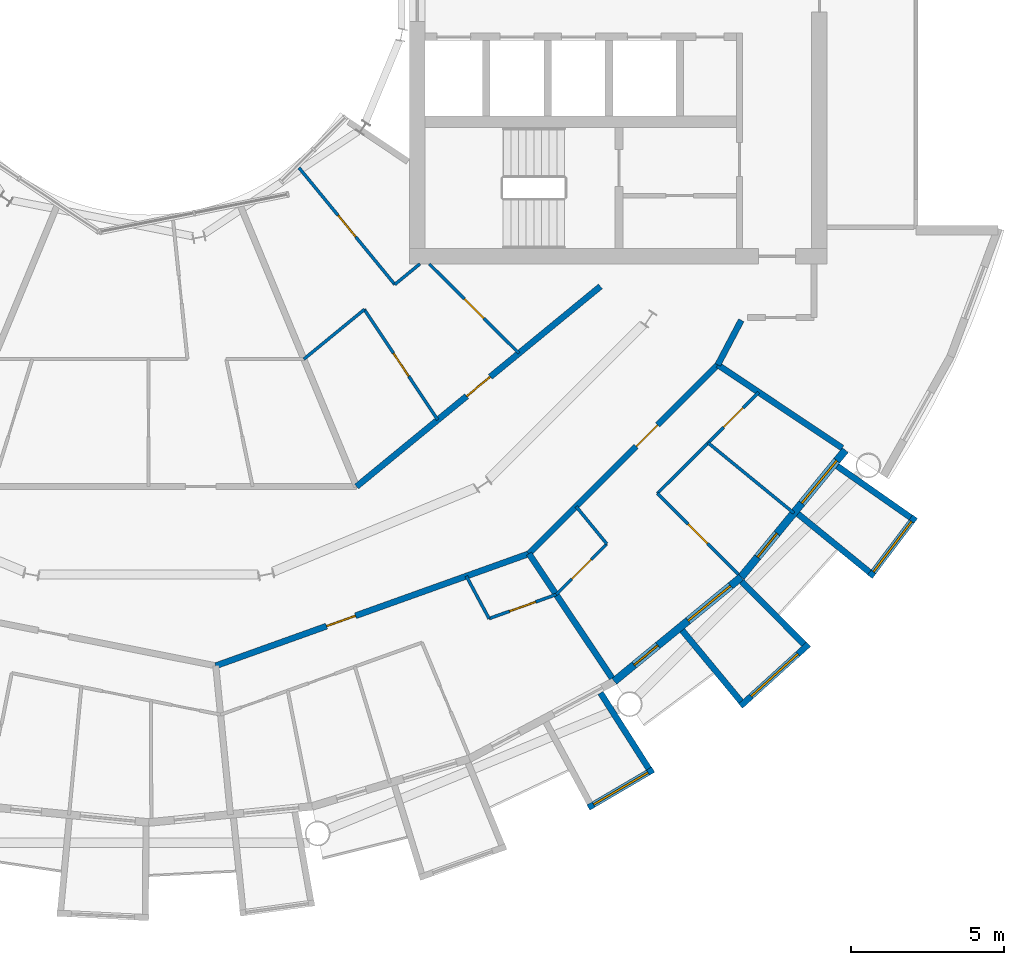
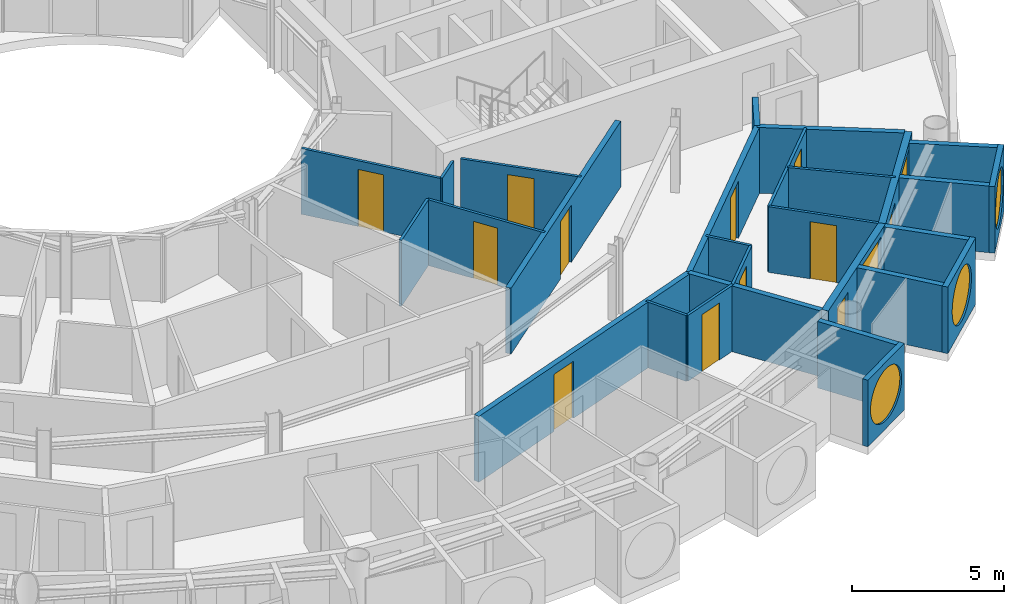
# One storey, part 17 of 26: 28 walls, 12 doors, 5 windows, 17 openings.
"""IFC4 building model written with IfcOpenShell, lengths in metres."""

from ifc_helpers import new_model, si_unit, direction, frame, frame_2d, origin, place, context, subcontext, project, spatial, rectangle, circle, extrude, material, layer, layer_set, type_object, element, fill, save


model = new_model("IFC4")

# Units and contexts
model_context = context("Model", 3, precision=1e-05, world=origin(), true_north=direction((0.0, 1.0)))
body_context = subcontext(model_context, "Body", "Model", "MODEL_VIEW")
ifc_project = project(units=[si_unit("LENGTHUNIT", "METRE"), si_unit("AREAUNIT", "SQUARE_METRE"), si_unit("VOLUMEUNIT", "CUBIC_METRE"), si_unit("PLANEANGLEUNIT", "RADIAN"), si_unit("MASSUNIT", "GRAM", prefix="KILO")], contexts=[model_context])

# Site, building, storey
site_placement = place(None, origin())
site = spatial("IfcSite", under=ifc_project, at=site_placement, CompositionType="ELEMENT")
building_placement = place(site_placement, origin())
building = spatial("IfcBuilding", under=site, at=building_placement, Name="Maasbend Ring Residences", CompositionType="ELEMENT")
storey_placement = place(building_placement, frame((0.0, 0.0, 176.85009765625)))
storey = spatial("IfcBuildingStorey", under=building, at=storey_placement, Name="L51", CompositionType="ELEMENT", Elevation=176.85009765625)

# Wall
ifc_material_1 = material(Name="Concrete C30/37", Category="concrete")
ifc_layer_1 = layer(ifc_material_1, 0.199951171875)
ifc_layer_set_1 = layer_set([ifc_layer_1], Name="Concrete C30/37")
wall_type_1 = type_object("IfcWallType", Name="CORRIDOR WALL 200 CONCRETE", PredefinedType="PARTITIONING", material=ifc_layer_set_1)
wall_1_placement = place(storey_placement, frame((18.5419921875, -12.388916015625, 0.0), z_axis=(0.0, 0.0, 1.0), x_axis=(0.465605550524, 0.884992356646, 0.0)))
element("IfcWall", 1, at=wall_1_placement, inside=storey, type_object=wall_type_1, Name="U-L51-w010", PredefinedType="PARTITIONING", context=body_context, shape_type="SweptSolid", body=[
    extrude(rectangle(XDim=1.642822265625, YDim=0.199951171875, at=frame_2d((0.8212890625, 0.0))), origin(), (0.0, 0.0, 1.0), 2.64990234375),
])

# Wall, opening, door
wall_2_placement = place(storey_placement, frame((12.388916015625, -18.5419921875, 0.0), z_axis=(0.0, 0.0, 1.0), x_axis=(0.707106781187, 0.707106781187, 0.0)))
wall_2 = element("IfcWall", 2, at=wall_2_placement, inside=storey, type_object=wall_type_1, Name="U-L51-w011", PredefinedType="PARTITIONING", context=body_context, shape_type="SweptSolid", body=[
    extrude(rectangle(XDim=8.70166015625, YDim=0.199951171875, at=frame_2d((4.350830078125, 0.0))), origin(), (0.0, 0.0, 1.0), 2.64990234375),
])
opening_1_placement = place(wall_2_placement, frame((4.93798828125, 0.0, 0.0)))
opening_1 = element("IfcOpeningElement", 3, at=opening_1_placement, cuts=wall_2, Name="Opening D-5148", PredefinedType="OPENING", context=body_context, shape_type="SweptSolid", body=[
    extrude(rectangle(XDim=1.0, YDim=2.300048828125, at=frame_2d((0.5, 1.14990234375))), frame((0.0, 0.10986328125, 0.0), z_axis=(0.0, -1.0, 0.0), x_axis=(1.0, 0.0, 0.0)), (0.0, 0.0, 1.0), 0.219970703125),
])
ifc_material_2 = material(Name="Timber, fire-rated, painted", Category="wood")
door_type_1 = type_object("IfcDoorType", Name="FLAT ENTRANCE DOOR 1000 X 2300 FIRE-RATED", OperationType="NOTDEFINED", PredefinedType="DOOR", material=ifc_material_2)
door_1_placement = place(opening_1_placement, origin())
door_1 = element("IfcDoor", 4, at=door_1_placement, inside=storey, type_object=door_type_1, Name="D-5148", OperationType="SINGLE_SWING_RIGHT", OverallHeight=2.300048828125, OverallWidth=1.0, PredefinedType="DOOR", context=body_context, shape_type="SweptSolid", body=[
    extrude(rectangle(XDim=1.0, YDim=2.300048828125, at=frame_2d((0.5, 1.14990234375))), frame((0.0, 0.02490234375, 0.0), z_axis=(0.0, -1.0, 0.0), x_axis=(1.0, 0.0, 0.0)), (0.0, 0.0, 1.0), 0.050048828125),
])
fill(opening_1, door_1)

wall_3_placement = place(storey_placement, frame((2.18603515625, -22.193115234375, 0.0), z_axis=(0.0, 0.0, 1.0), x_axis=(0.941530192736, 0.336928621769, 0.0)))
wall_3 = element("IfcWall", 5, at=wall_3_placement, inside=storey, type_object=wall_type_1, Name="U-L51-w015", PredefinedType="PARTITIONING", context=body_context, shape_type="SweptSolid", body=[
    extrude(rectangle(XDim=10.83642578125, YDim=0.199951171875, at=frame_2d((5.418212890625, 0.0))), origin(), (0.0, 0.0, 1.0), 2.64990234375),
])
opening_2_placement = place(wall_3_placement, frame((3.8349609375, 0.0, 0.0)))
opening_2 = element("IfcOpeningElement", 6, at=opening_2_placement, cuts=wall_3, Name="Opening D-5143", PredefinedType="OPENING", context=body_context, shape_type="SweptSolid", body=[
    extrude(rectangle(XDim=1.0, YDim=2.300048828125, at=frame_2d((0.5, 1.14990234375))), frame((0.0, 0.10986328125, 0.0), z_axis=(0.0, -1.0, 0.0), x_axis=(1.0, 0.0, 0.0)), (0.0, 0.0, 1.0), 0.219970703125),
])
door_2_placement = place(opening_2_placement, origin())
door_2 = element("IfcDoor", 7, at=door_2_placement, inside=storey, type_object=door_type_1, Name="D-5143", OperationType="SINGLE_SWING_LEFT", OverallHeight=2.300048828125, OverallWidth=1.0, PredefinedType="DOOR", context=body_context, shape_type="SweptSolid", body=[
    extrude(rectangle(XDim=1.0, YDim=2.300048828125, at=frame_2d((0.5, 1.14990234375))), frame((0.0, 0.02490234375, 0.0), z_axis=(0.0, -1.0, 0.0), x_axis=(1.0, 0.0, 0.0)), (0.0, 0.0, 1.0), 0.050048828125),
])
fill(opening_2, door_2)

wall_4_placement = place(storey_placement, frame((6.77294921875, -16.35302734375, 0.0), z_axis=(0.0, 0.0, 1.0), x_axis=(0.773034536097, 0.634363938131, 0.0)))
wall_4 = element("IfcWall", 8, at=wall_4_placement, inside=storey, type_object=wall_type_1, Name="U-L51-w018", PredefinedType="PARTITIONING", context=body_context, shape_type="SweptSolid", body=[
    extrude(rectangle(XDim=10.276611328125, YDim=0.199951171875, at=frame_2d((5.13818359375, 0.0))), origin(), (0.0, 0.0, 1.0), 2.64990234375),
])
opening_3_placement = place(wall_4_placement, frame((4.637939453125, 0.0, 0.0)))
opening_3 = element("IfcOpeningElement", 9, at=opening_3_placement, cuts=wall_4, Name="Opening D-5161", PredefinedType="OPENING", context=body_context, shape_type="SweptSolid", body=[
    extrude(rectangle(XDim=1.0, YDim=2.300048828125, at=frame_2d((0.5, 1.14990234375))), frame((0.0, 0.10986328125, 0.0), z_axis=(0.0, -1.0, 0.0), x_axis=(1.0, 0.0, 0.0)), (0.0, 0.0, 1.0), 0.219970703125),
])
door_3_placement = place(opening_3_placement, origin())
door_3 = element("IfcDoor", 10, at=door_3_placement, inside=storey, type_object=door_type_1, Name="D-5161", OperationType="SINGLE_SWING_RIGHT", OverallHeight=2.300048828125, OverallWidth=1.0, PredefinedType="DOOR", context=body_context, shape_type="SweptSolid", body=[
    extrude(rectangle(XDim=1.0, YDim=2.300048828125, at=frame_2d((0.5, 1.14990234375))), frame((0.0, 0.02490234375, 0.0), z_axis=(0.0, -1.0, 0.0), x_axis=(1.0, 0.0, 0.0)), (0.0, 0.0, 1.0), 0.050048828125),
])
fill(opening_3, door_3)

# Wall, opening, window
ifc_material_3 = material(Name="Pale anodised aluminium panel", Category="aluminium")
ifc_layer_2 = layer(ifc_material_3, 0.199951171875)
ifc_layer_set_2 = layer_set([ifc_layer_2], Name="EW-BOX")
wall_type_2 = type_object("IfcWallType", Name="EW-BOX", PredefinedType="SOLIDWALL", material=ifc_layer_set_2)
wall_5_placement = place(storey_placement, frame((14.326904296875, -26.81201171875, -0.030029296875), z_axis=(0.0, 0.0, 1.0), x_axis=(0.862403467503, 0.506221551535, 0.0)))
wall_5 = element("IfcWall", 11, at=wall_5_placement, inside=storey, type_object=wall_type_2, Name="Box front S16", PredefinedType="SOLIDWALL", context=body_context, shape_type="SweptSolid", body=[
    extrude(rectangle(XDim=2.445556640625, YDim=0.199951171875, at=frame_2d((1.22265625, 0.0))), origin(), (0.0, 0.0, 1.0), 2.679931640625),
])
opening_4_placement = place(wall_5_placement, frame((0.182861328125, 0.0, 0.330078125)))
opening_4 = element("IfcOpeningElement", 12, at=opening_4_placement, cuts=wall_5, Name="Opening W-RD", PredefinedType="OPENING", context=body_context, shape_type="SweptSolid", body=[
    extrude(circle(Radius=1.0400390625, at=frame_2d((1.0400390625, 1.0400390625))), frame((0.0, 0.10986328125, 0.0), z_axis=(0.0, -1.0, 0.0), x_axis=(1.0, 0.0, 0.0)), (0.0, 0.0, 1.0), 0.219970703125),
])
ifc_material_4 = material(Name="Aluminium and clear glass", Category="aluminium")
window_type_1 = type_object("IfcWindowType", Name="W-RD", PartitioningType="SINGLE_PANEL", PredefinedType="WINDOW", material=ifc_material_4)
window_1_placement = place(opening_4_placement, origin())
window_1 = element("IfcWindow", 13, at=window_1_placement, inside=storey, type_object=window_type_1, Name="Round window S16", OverallHeight=2.080078125, OverallWidth=2.080078125, PartitioningType="SINGLE_PANEL", PredefinedType="WINDOW", context=body_context, shape_type="SweptSolid", body=[
    extrude(circle(Radius=1.0400390625, at=frame_2d((1.0400390625, 1.0400390625))), frame((0.0, 0.030029296875, 0.0), z_axis=(0.0, -1.0, 0.0), x_axis=(1.0, 0.0, 0.0)), (0.0, 0.0, 1.0), 0.06005859375),
])
fill(opening_4, window_1)

# Wall
wall_6_placement = place(storey_placement, frame((14.721923828125, -23.0791015625, -0.030029296875), z_axis=(0.0, 0.0, 1.0), x_axis=(0.537572179146, -0.843217737129, 0.0)))
element("IfcWall", 14, at=wall_6_placement, inside=storey, type_object=wall_type_2, Name="Box side wall S16 right", PredefinedType="SOLIDWALL", context=body_context, shape_type="SweptSolid", body=[
    extrude(rectangle(XDim=2.92431640625, YDim=0.199951171875, at=frame_2d((1.462158203125, 0.0))), origin(), (0.0, 0.0, 1.0), 2.679931640625),
])

# Wall, opening, window
wall_7_placement = place(storey_placement, frame((19.281982421875, -23.5029296875, -0.030029296875), z_axis=(0.0, 0.0, 1.0), x_axis=(0.740998365753, 0.671506829416, 0.0)))
wall_7 = element("IfcWall", 15, at=wall_7_placement, inside=storey, type_object=wall_type_2, Name="Box front S18", PredefinedType="SOLIDWALL", context=body_context, shape_type="SweptSolid", body=[
    extrude(rectangle(XDim=2.9931640625, YDim=0.199951171875, at=frame_2d((1.49658203125, 0.0))), origin(), (0.0, 0.0, 1.0), 2.679931640625),
])
opening_5_placement = place(wall_7_placement, frame((0.45654296875, 0.0, 0.330078125)))
opening_5 = element("IfcOpeningElement", 16, at=opening_5_placement, cuts=wall_7, Name="Opening W-RD", PredefinedType="OPENING", context=body_context, shape_type="SweptSolid", body=[
    extrude(circle(Radius=1.0400390625, at=frame_2d((1.0400390625, 1.0400390625))), frame((0.0, 0.10986328125, 0.0), z_axis=(0.0, -1.0, 0.0), x_axis=(1.0, 0.0, 0.0)), (0.0, 0.0, 1.0), 0.219970703125),
])
window_2_placement = place(opening_5_placement, origin())
window_2 = element("IfcWindow", 17, at=window_2_placement, inside=storey, type_object=window_type_1, Name="Round window S18", OverallHeight=2.080078125, OverallWidth=2.080078125, PartitioningType="SINGLE_PANEL", PredefinedType="WINDOW", context=body_context, shape_type="SweptSolid", body=[
    extrude(circle(Radius=1.0400390625, at=frame_2d((1.0400390625, 1.0400390625))), frame((0.0, 0.030029296875, 0.0), z_axis=(0.0, -1.0, 0.0), x_axis=(1.0, 0.0, 0.0)), (0.0, 0.0, 1.0), 0.06005859375),
])
fill(opening_5, window_2)

# Walls
wall_8_placement = place(storey_placement, frame((17.384033203125, -21.041015625, -0.030029296875), z_axis=(0.0, 0.0, 1.0), x_axis=(0.63709551667, -0.770784861449, 0.0)))
element("IfcWall", 18, at=wall_8_placement, inside=storey, type_object=wall_type_2, Name="Box side wall S18 left", PredefinedType="SOLIDWALL", context=body_context, shape_type="SweptSolid", body=[
    extrude(rectangle(XDim=3.005859375, YDim=0.199951171875, at=frame_2d((1.5029296875, 0.0))), origin(), (0.0, 0.0, 1.0), 2.679931640625),
])
wall_9_placement = place(storey_placement, frame((19.322998046875, -19.449951171875, -0.030029296875), z_axis=(0.0, 0.0, 1.0), x_axis=(0.704476739375, -0.709727076896, 0.0)))
element("IfcWall", 19, at=wall_9_placement, inside=storey, type_object=wall_type_2, Name="Box side wall S18 right", PredefinedType="SOLIDWALL", context=body_context, shape_type="SweptSolid", body=[
    extrude(rectangle(XDim=2.883056640625, YDim=0.199951171875, at=frame_2d((1.44140625, 0.0))), origin(), (0.0, 0.0, 1.0), 2.679931640625),
])

# Wall, opening, window
wall_10_placement = place(storey_placement, frame((23.4970703125, -19.2890625, -0.030029296875), z_axis=(0.0, 0.0, 1.0), x_axis=(0.602806268067, 0.797887588059, 0.0)))
wall_10 = element("IfcWall", 20, at=wall_10_placement, inside=storey, type_object=wall_type_2, Name="Box front S20", PredefinedType="SOLIDWALL", context=body_context, shape_type="SweptSolid", body=[
    extrude(rectangle(XDim=2.446533203125, YDim=0.199951171875, at=frame_2d((1.22314453125, 0.0))), origin(), (0.0, 0.0, 1.0), 2.679931640625),
])
opening_6_placement = place(wall_10_placement, frame((0.182861328125, 0.0, 0.330078125)))
opening_6 = element("IfcOpeningElement", 21, at=opening_6_placement, cuts=wall_10, Name="Opening W-RD", PredefinedType="OPENING", context=body_context, shape_type="SweptSolid", body=[
    extrude(circle(Radius=1.0400390625, at=frame_2d((1.0400390625, 1.0400390625))), frame((0.0, 0.10986328125, 0.0), z_axis=(0.0, -1.0, 0.0), x_axis=(1.0, 0.0, 0.0)), (0.0, 0.0, 1.0), 0.219970703125),
])
window_3_placement = place(opening_6_placement, origin())
window_3 = element("IfcWindow", 22, at=window_3_placement, inside=storey, type_object=window_type_1, Name="Round window S20", OverallHeight=2.080078125, OverallWidth=2.080078125, PartitioningType="SINGLE_PANEL", PredefinedType="WINDOW", context=body_context, shape_type="SweptSolid", body=[
    extrude(circle(Radius=1.0400390625, at=frame_2d((1.0400390625, 1.0400390625))), frame((0.0, 0.030029296875, 0.0), z_axis=(0.0, -1.0, 0.0), x_axis=(1.0, 0.0, 0.0)), (0.0, 0.0, 1.0), 0.06005859375),
])
fill(opening_6, window_3)

# Walls
wall_11_placement = place(storey_placement, frame((21.155029296875, -17.24609375, -0.030029296875), z_axis=(0.0, 0.0, 1.0), x_axis=(0.775179004516, -0.631741648902, 0.0)))
element("IfcWall", 23, at=wall_11_placement, inside=storey, type_object=wall_type_2, Name="Box side wall S20 left", PredefinedType="SOLIDWALL", context=body_context, shape_type="SweptSolid", body=[
    extrude(rectangle(XDim=3.005859375, YDim=0.199951171875, at=frame_2d((1.5029296875, 0.0))), origin(), (0.0, 0.0, 1.0), 2.679931640625),
])
wall_12_placement = place(storey_placement, frame((22.43310546875, -15.68798828125, -0.030029296875), z_axis=(0.0, 0.0, 1.0), x_axis=(0.819373043115, -0.573260687834, 0.0)))
element("IfcWall", 24, at=wall_12_placement, inside=storey, type_object=wall_type_2, Name="Box side wall S20 right", PredefinedType="SOLIDWALL", context=body_context, shape_type="SweptSolid", body=[
    extrude(rectangle(XDim=2.92529296875, YDim=0.199951171875, at=frame_2d((1.462646484375, 0.0))), origin(), (0.0, 0.0, 1.0), 2.679931640625),
])

# Wall, openings, door, window
ifc_material_5 = material(Name="Aluminium clad insulated panel", Category="aluminium")
ifc_layer_3 = layer(ifc_material_5, 0.25)
ifc_layer_set_3 = layer_set([ifc_layer_3], Name="EW-GL")
wall_type_3 = type_object("IfcWallType", Name="EW-GL", PredefinedType="SOLIDWALL", material=ifc_layer_set_3)
wall_13_placement = place(storey_placement, frame((15.1669921875, -22.698974609375, 0.0), z_axis=(0.0, 0.0, 1.0), x_axis=(0.773019449054, 0.634382322723, 0.0)))
wall_13 = element("IfcWall", 25, at=wall_13_placement, inside=storey, type_object=wall_type_3, Name="External wall S09", PredefinedType="SOLIDWALL", context=body_context, shape_type="SweptSolid", body=[
    extrude(rectangle(XDim=5.351806640625, YDim=0.25, at=frame_2d((2.67578125, 0.0))), origin(), (0.0, 0.0, 1.0), 2.64990234375),
])
opening_7_placement = place(wall_13_placement, frame((0.841064453125, 0.0, 0.0)))
opening_7 = element("IfcOpeningElement", 26, at=opening_7_placement, cuts=wall_13, Name="Opening D-LG", PredefinedType="OPENING", context=body_context, shape_type="SweptSolid", body=[
    extrude(rectangle(XDim=1.0, YDim=2.199951171875, at=frame_2d((0.5, 1.10009765625))), frame((0.0, 0.135009765625, 0.0), z_axis=(0.0, -1.0, 0.0), x_axis=(1.0, 0.0, 0.0)), (0.0, 0.0, 1.0), 0.27001953125),
])
opening_8_placement = place(wall_13_placement, frame((3.110595703125, 0.0, 0.300048828125)))
opening_8 = element("IfcOpeningElement", 27, at=opening_8_placement, cuts=wall_13, Name="Opening W-BX", PredefinedType="OPENING", context=body_context, shape_type="SweptSolid", body=[
    extrude(rectangle(XDim=1.800048828125, YDim=2.10009765625, at=frame_2d((0.89990234375, 1.050048828125))), frame((0.0, 0.135009765625, 0.0), z_axis=(0.0, -1.0, 0.0), x_axis=(1.0, 0.0, 0.0)), (0.0, 0.0, 1.0), 0.27001953125),
])
ifc_material_6 = material(Name="Aluminium and clear glass", Category="aluminium")
door_type_2 = type_object("IfcDoorType", Name="D-LG", OperationType="SINGLE_SWING_LEFT", PredefinedType="DOOR", material=ifc_material_6)
door_4_placement = place(opening_7_placement, origin())
door_4 = element("IfcDoor", 28, at=door_4_placement, inside=storey, type_object=door_type_2, Name="Loggia door S17", OperationType="SINGLE_SWING_LEFT", OverallHeight=2.199951171875, OverallWidth=1.0, PredefinedType="DOOR", context=body_context, shape_type="SweptSolid", body=[
    extrude(rectangle(XDim=1.0, YDim=2.199951171875, at=frame_2d((0.5, 1.10009765625))), frame((0.0, 0.02490234375, 0.0), z_axis=(0.0, -1.0, 0.0), x_axis=(1.0, 0.0, 0.0)), (0.0, 0.0, 1.0), 0.050048828125),
])
fill(opening_7, door_4)
ifc_material_7 = material(Name="Aluminium and clear glass", Category="aluminium")
window_type_2 = type_object("IfcWindowType", Name="W-BX", PartitioningType="DOUBLE_PANEL_VERTICAL", PredefinedType="WINDOW", material=ifc_material_7)
window_4_placement = place(opening_8_placement, origin())
window_4 = element("IfcWindow", 29, at=window_4_placement, inside=storey, type_object=window_type_2, Name="Window S18 room to box", OverallHeight=2.10009765625, OverallWidth=1.800048828125, PartitioningType="SINGLE_PANEL", PredefinedType="WINDOW", context=body_context, shape_type="SweptSolid", body=[
    extrude(rectangle(XDim=1.800048828125, YDim=2.10009765625, at=frame_2d((0.89990234375, 1.050048828125))), frame((0.0, 0.030029296875, 0.0), z_axis=(0.0, -1.0, 0.0), x_axis=(1.0, 0.0, 0.0)), (0.0, 0.0, 1.0), 0.06005859375),
])
fill(opening_8, window_4)

wall_14_placement = place(storey_placement, frame((19.303955078125, -19.303955078125, 0.0), z_axis=(0.0, 0.0, 1.0), x_axis=(0.634382322723, 0.773019449054, 0.0)))
wall_14 = element("IfcWall", 30, at=wall_14_placement, inside=storey, type_object=wall_type_3, Name="External wall S10", PredefinedType="SOLIDWALL", context=body_context, shape_type="SweptSolid", body=[
    extrude(rectangle(XDim=5.351806640625, YDim=0.25, at=frame_2d((2.67578125, 0.0))), origin(), (0.0, 0.0, 1.0), 2.64990234375),
])
opening_9_placement = place(wall_14_placement, frame((0.841064453125, 0.0, 0.0)))
opening_9 = element("IfcOpeningElement", 31, at=opening_9_placement, cuts=wall_14, Name="Opening D-LG", PredefinedType="OPENING", context=body_context, shape_type="SweptSolid", body=[
    extrude(rectangle(XDim=1.0, YDim=2.199951171875, at=frame_2d((0.5, 1.10009765625))), frame((0.0, 0.135009765625, 0.0), z_axis=(0.0, -1.0, 0.0), x_axis=(1.0, 0.0, 0.0)), (0.0, 0.0, 1.0), 0.27001953125),
])
opening_10_placement = place(wall_14_placement, frame((3.110595703125, 0.0, 0.300048828125)))
opening_10 = element("IfcOpeningElement", 32, at=opening_10_placement, cuts=wall_14, Name="Opening W-BX", PredefinedType="OPENING", context=body_context, shape_type="SweptSolid", body=[
    extrude(rectangle(XDim=1.800048828125, YDim=2.10009765625, at=frame_2d((0.89990234375, 1.050048828125))), frame((0.0, 0.135009765625, 0.0), z_axis=(0.0, -1.0, 0.0), x_axis=(1.0, 0.0, 0.0)), (0.0, 0.0, 1.0), 0.27001953125),
])
door_5_placement = place(opening_9_placement, origin())
door_5 = element("IfcDoor", 33, at=door_5_placement, inside=storey, type_object=door_type_2, Name="Loggia door S19", OperationType="SINGLE_SWING_LEFT", OverallHeight=2.199951171875, OverallWidth=1.0, PredefinedType="DOOR", context=body_context, shape_type="SweptSolid", body=[
    extrude(rectangle(XDim=1.0, YDim=2.199951171875, at=frame_2d((0.5, 1.10009765625))), frame((0.0, 0.02490234375, 0.0), z_axis=(0.0, -1.0, 0.0), x_axis=(1.0, 0.0, 0.0)), (0.0, 0.0, 1.0), 0.050048828125),
])
fill(opening_9, door_5)
window_5_placement = place(opening_10_placement, origin())
window_5 = element("IfcWindow", 34, at=window_5_placement, inside=storey, type_object=window_type_2, Name="Window S20 room to box", OverallHeight=2.10009765625, OverallWidth=1.800048828125, PartitioningType="SINGLE_PANEL", PredefinedType="WINDOW", context=body_context, shape_type="SweptSolid", body=[
    extrude(rectangle(XDim=1.800048828125, YDim=2.10009765625, at=frame_2d((0.89990234375, 1.050048828125))), frame((0.0, 0.030029296875, 0.0), z_axis=(0.0, -1.0, 0.0), x_axis=(1.0, 0.0, 0.0)), (0.0, 0.0, 1.0), 0.06005859375),
])
fill(opening_10, window_5)

# Wall, opening, door
ifc_material_8 = material(Name="Gypsum board on steel studs", Category="steel")
ifc_layer_4 = layer(ifc_material_8, 0.10009765625)
ifc_layer_set_4 = layer_set([ifc_layer_4], Name="PARTITION 100 GYPSUM")
wall_type_4 = type_object("IfcWallType", Name="PARTITION 100 GYPSUM", PredefinedType="PARTITIONING", material=ifc_layer_set_4)
wall_15_placement = place(storey_placement, frame((13.278076171875, -19.8720703125, 0.0), z_axis=(0.0, 0.0, 1.0), x_axis=(0.707316201218, 0.706897299114, 0.0)))
wall_15 = element("IfcWall", 35, at=wall_15_placement, inside=storey, type_object=wall_type_4, Name="U-L51-w001", PredefinedType="PARTITIONING", context=body_context, shape_type="SweptSolid", body=[
    extrude(rectangle(XDim=2.331298828125, YDim=0.10009765625, at=frame_2d((1.16552734375, 0.0))), origin(), (0.0, 0.0, 1.0), 2.64990234375),
])
opening_11_placement = place(wall_15_placement, frame((0.716064453125, 0.0, 0.0)))
opening_11 = element("IfcOpeningElement", 36, at=opening_11_placement, cuts=wall_15, Name="Opening D-5149", PredefinedType="OPENING", context=body_context, shape_type="SweptSolid", body=[
    extrude(rectangle(XDim=0.89990234375, YDim=2.300048828125, at=frame_2d((0.449951171875, 1.14990234375))), frame((0.0, 0.06005859375, 0.0), z_axis=(0.0, -1.0, 0.0), x_axis=(1.0, 0.0, 0.0)), (0.0, 0.0, 1.0), 0.1201171875),
])
ifc_material_9 = material(Name="Timber, painted", Category="wood")
door_type_3 = type_object("IfcDoorType", Name="INTERNAL DOOR 900 X 2300", OperationType="NOTDEFINED", PredefinedType="DOOR", material=ifc_material_9)
door_6_placement = place(opening_11_placement, origin())
door_6 = element("IfcDoor", 37, at=door_6_placement, inside=storey, type_object=door_type_3, Name="D-5149", OperationType="SINGLE_SWING_RIGHT", OverallHeight=2.300048828125, OverallWidth=0.89990234375, PredefinedType="DOOR", context=body_context, shape_type="SweptSolid", body=[
    extrude(rectangle(XDim=0.89990234375, YDim=2.300048828125, at=frame_2d((0.449951171875, 1.14990234375))), frame((0.0, 0.02490234375, 0.0), z_axis=(0.0, -1.0, 0.0), x_axis=(1.0, 0.0, 0.0)), (0.0, 0.0, 1.0), 0.050048828125),
])
fill(opening_11, door_6)

wall_16_placement = place(storey_placement, frame((16.569091796875, -16.5830078125, 0.0), z_axis=(0.0, 0.0, 1.0), x_axis=(0.707316201218, 0.706897299114, 0.0)))
wall_16 = element("IfcWall", 38, at=wall_16_placement, inside=storey, type_object=wall_type_4, Name="U-L51-w002", PredefinedType="PARTITIONING", context=body_context, shape_type="SweptSolid", body=[
    extrude(rectangle(XDim=4.66259765625, YDim=0.10009765625, at=frame_2d((2.331298828125, 0.0))), origin(), (0.0, 0.0, 1.0), 2.64990234375),
])
opening_12_placement = place(wall_16_placement, frame((3.054931640625, 0.0, 0.0)))
opening_12 = element("IfcOpeningElement", 39, at=opening_12_placement, cuts=wall_16, Name="Opening D-5151", PredefinedType="OPENING", context=body_context, shape_type="SweptSolid", body=[
    extrude(rectangle(XDim=0.89990234375, YDim=2.300048828125, at=frame_2d((0.449951171875, 1.14990234375))), frame((0.0, 0.06005859375, 0.0), z_axis=(0.0, -1.0, 0.0), x_axis=(1.0, 0.0, 0.0)), (0.0, 0.0, 1.0), 0.1201171875),
])
door_7_placement = place(opening_12_placement, origin())
door_7 = element("IfcDoor", 40, at=door_7_placement, inside=storey, type_object=door_type_3, Name="D-5151", OperationType="SINGLE_SWING_RIGHT", OverallHeight=2.300048828125, OverallWidth=0.89990234375, PredefinedType="DOOR", context=body_context, shape_type="SweptSolid", body=[
    extrude(rectangle(XDim=0.89990234375, YDim=2.300048828125, at=frame_2d((0.449951171875, 1.14990234375))), frame((0.0, 0.02490234375, 0.0), z_axis=(0.0, -1.0, 0.0), x_axis=(1.0, 0.0, 0.0)), (0.0, 0.0, 1.0), 0.050048828125),
])
fill(opening_12, door_7)

wall_17_placement = place(storey_placement, frame((11.091064453125, -20.655029296875, 0.0), z_axis=(0.0, 0.0, 1.0), x_axis=(0.941484831917, 0.337055353422, 0.0)))
wall_17 = element("IfcWall", 41, at=wall_17_placement, inside=storey, type_object=wall_type_4, Name="U-L51-w006", PredefinedType="PARTITIONING", context=body_context, shape_type="SweptSolid", body=[
    extrude(rectangle(XDim=2.322998046875, YDim=0.10009765625, at=frame_2d((1.16162109375, 0.0))), origin(), (0.0, 0.0, 1.0), 2.64990234375),
])
opening_13_placement = place(wall_17_placement, frame((0.7109375, 0.0, 0.0)))
opening_13 = element("IfcOpeningElement", 42, at=opening_13_placement, cuts=wall_17, Name="Opening D-5144", PredefinedType="OPENING", context=body_context, shape_type="SweptSolid", body=[
    extrude(rectangle(XDim=0.89990234375, YDim=2.300048828125, at=frame_2d((0.449951171875, 1.14990234375))), frame((0.0, 0.06005859375, 0.0), z_axis=(0.0, -1.0, 0.0), x_axis=(1.0, 0.0, 0.0)), (0.0, 0.0, 1.0), 0.1201171875),
])
door_8_placement = place(opening_13_placement, origin())
door_8 = element("IfcDoor", 43, at=door_8_placement, inside=storey, type_object=door_type_3, Name="D-5144", OperationType="SINGLE_SWING_RIGHT", OverallHeight=2.300048828125, OverallWidth=0.89990234375, PredefinedType="DOOR", context=body_context, shape_type="SweptSolid", body=[
    extrude(rectangle(XDim=0.89990234375, YDim=2.300048828125, at=frame_2d((0.449951171875, 1.14990234375))), frame((0.0, 0.02490234375, 0.0), z_axis=(0.0, -1.0, 0.0), x_axis=(1.0, 0.0, 0.0)), (0.0, 0.0, 1.0), 0.050048828125),
])
fill(opening_13, door_8)

# Walls
wall_18_placement = place(storey_placement, frame((5.054931640625, -12.2041015625, 0.0), z_axis=(0.0, 0.0, 1.0), x_axis=(0.772943675046, 0.634474645046, 0.0)))
element("IfcWall", 44, at=wall_18_placement, inside=storey, type_object=wall_type_4, Name="U-L51-w022", PredefinedType="PARTITIONING", context=body_context, shape_type="SweptSolid", body=[
    extrude(rectangle(XDim=2.556640625, YDim=0.10009765625, at=frame_2d((1.2783203125, 0.0))), origin(), (0.0, 0.0, 1.0), 2.64990234375),
])
wall_19_placement = place(storey_placement, frame((8.01611328125, -9.77294921875, 0.0), z_axis=(0.0, 0.0, 1.0), x_axis=(0.7731800648, 0.634186555673, 0.0)))
element("IfcWall", 45, at=wall_19_placement, inside=storey, type_object=wall_type_4, Name="U-L51-w023", PredefinedType="PARTITIONING", context=body_context, shape_type="SweptSolid", body=[
    extrude(rectangle(XDim=1.064453125, YDim=0.10009765625, at=frame_2d((0.5322265625, 0.0))), origin(), (0.0, 0.0, 1.0), 2.64990234375),
])
wall_20_placement = place(storey_placement, frame((13.927001953125, -17.00390625, 0.0), z_axis=(0.0, 0.0, 1.0), x_axis=(0.633861186344, -0.773446828454, 0.0)))
element("IfcWall", 46, at=wall_20_placement, inside=storey, type_object=wall_type_4, Name="U-L51-w031", PredefinedType="PARTITIONING", context=body_context, shape_type="SweptSolid", body=[
    extrude(rectangle(XDim=1.57763671875, YDim=0.10009765625, at=frame_2d((0.788818359375, 0.0))), origin(), (0.0, 0.0, 1.0), 2.64990234375),
])

# Wall, opening, door
wall_21_placement = place(storey_placement, frame((4.89794921875, -5.968017578125, 0.0), z_axis=(0.0, 0.0, 1.0), x_axis=(0.634401778971, -0.773003481776, 0.0)))
wall_21 = element("IfcWall", 47, at=wall_21_placement, inside=storey, type_object=wall_type_4, Name="U-L51-w073", PredefinedType="PARTITIONING", context=body_context, shape_type="SweptSolid", body=[
    extrude(rectangle(XDim=4.919677734375, YDim=0.10009765625, at=frame_2d((2.4599609375, 0.0))), origin(), (0.0, 0.0, 1.0), 2.64990234375),
])
opening_14_placement = place(wall_21_placement, frame((2.010009765625, 0.0, 0.0)))
opening_14 = element("IfcOpeningElement", 48, at=opening_14_placement, cuts=wall_21, Name="Opening D-5164", PredefinedType="OPENING", context=body_context, shape_type="SweptSolid", body=[
    extrude(rectangle(XDim=0.89990234375, YDim=2.300048828125, at=frame_2d((0.449951171875, 1.14990234375))), frame((0.0, 0.06005859375, 0.0), z_axis=(0.0, -1.0, 0.0), x_axis=(1.0, 0.0, 0.0)), (0.0, 0.0, 1.0), 0.1201171875),
])
door_9_placement = place(opening_14_placement, origin())
door_9 = element("IfcDoor", 49, at=door_9_placement, inside=storey, type_object=door_type_3, Name="D-5164", OperationType="SINGLE_SWING_RIGHT", OverallHeight=2.300048828125, OverallWidth=0.89990234375, PredefinedType="DOOR", context=body_context, shape_type="SweptSolid", body=[
    extrude(rectangle(XDim=0.89990234375, YDim=2.300048828125, at=frame_2d((0.449951171875, 1.14990234375))), frame((0.0, 0.02490234375, 0.0), z_axis=(0.0, -1.0, 0.0), x_axis=(1.0, 0.0, 0.0)), (0.0, 0.0, 1.0), 0.050048828125),
])
fill(opening_14, door_9)

wall_22_placement = place(storey_placement, frame((7.028076171875, -10.583984375, 0.0), z_axis=(0.0, 0.0, 1.0), x_axis=(0.553303732327, -0.832979579457, 0.0)))
wall_22 = element("IfcWall", 50, at=wall_22_placement, inside=storey, type_object=wall_type_4, Name="U-L51-w076", PredefinedType="PARTITIONING", context=body_context, shape_type="SweptSolid", body=[
    extrude(rectangle(XDim=4.3193359375, YDim=0.10009765625, at=frame_2d((2.15966796875, 0.0))), origin(), (0.0, 0.0, 1.0), 2.64990234375),
])
opening_15_placement = place(wall_22_placement, frame((1.7099609375, 0.0, 0.0)))
opening_15 = element("IfcOpeningElement", 51, at=opening_15_placement, cuts=wall_22, Name="Opening D-5162", PredefinedType="OPENING", context=body_context, shape_type="SweptSolid", body=[
    extrude(rectangle(XDim=0.89990234375, YDim=2.300048828125, at=frame_2d((0.449951171875, 1.14990234375))), frame((0.0, 0.06005859375, 0.0), z_axis=(0.0, -1.0, 0.0), x_axis=(1.0, 0.0, 0.0)), (0.0, 0.0, 1.0), 0.1201171875),
])
door_10_placement = place(opening_15_placement, origin())
door_10 = element("IfcDoor", 52, at=door_10_placement, inside=storey, type_object=door_type_3, Name="D-5162", OperationType="SINGLE_SWING_LEFT", OverallHeight=2.300048828125, OverallWidth=0.89990234375, PredefinedType="DOOR", context=body_context, shape_type="SweptSolid", body=[
    extrude(rectangle(XDim=0.89990234375, YDim=2.300048828125, at=frame_2d((0.449951171875, 1.14990234375))), frame((0.0, 0.02490234375, 0.0), z_axis=(0.0, -1.0, 0.0), x_axis=(1.0, 0.0, 0.0)), (0.0, 0.0, 1.0), 0.050048828125),
])
fill(opening_15, door_10)

wall_23_placement = place(storey_placement, frame((9.14404296875, -9.10400390625, 0.0), z_axis=(0.0, 0.0, 1.0), x_axis=(0.708793214553, -0.705416316088, 0.0)))
wall_23 = element("IfcWall", 53, at=wall_23_placement, inside=storey, type_object=wall_type_4, Name="U-L51-w080", PredefinedType="PARTITIONING", context=body_context, shape_type="SweptSolid", body=[
    extrude(rectangle(XDim=4.120849609375, YDim=0.10009765625, at=frame_2d((2.060546875, 0.0))), origin(), (0.0, 0.0, 1.0), 2.64990234375),
])
opening_16_placement = place(wall_23_placement, frame((1.611083984375, 0.0, 0.0)))
opening_16 = element("IfcOpeningElement", 54, at=opening_16_placement, cuts=wall_23, Name="Opening D-5163", PredefinedType="OPENING", context=body_context, shape_type="SweptSolid", body=[
    extrude(rectangle(XDim=0.89990234375, YDim=2.300048828125, at=frame_2d((0.449951171875, 1.14990234375))), frame((0.0, 0.06005859375, 0.0), z_axis=(0.0, -1.0, 0.0), x_axis=(1.0, 0.0, 0.0)), (0.0, 0.0, 1.0), 0.1201171875),
])
door_11_placement = place(opening_16_placement, origin())
door_11 = element("IfcDoor", 55, at=door_11_placement, inside=storey, type_object=door_type_3, Name="D-5163", OperationType="SINGLE_SWING_RIGHT", OverallHeight=2.300048828125, OverallWidth=0.89990234375, PredefinedType="DOOR", context=body_context, shape_type="SweptSolid", body=[
    extrude(rectangle(XDim=0.89990234375, YDim=2.300048828125, at=frame_2d((0.449951171875, 1.14990234375))), frame((0.0, 0.02490234375, 0.0), z_axis=(0.0, -1.0, 0.0), x_axis=(1.0, 0.0, 0.0)), (0.0, 0.0, 1.0), 0.050048828125),
])
fill(opening_16, door_11)

wall_24_placement = place(storey_placement, frame((16.574951171875, -16.574951171875, 0.0), z_axis=(0.0, 0.0, 1.0), x_axis=(0.707106781187, -0.707106781187, 0.0)))
wall_24 = element("IfcWall", 56, at=wall_24_placement, inside=storey, type_object=wall_type_4, Name="U-L51-w086", PredefinedType="PARTITIONING", context=body_context, shape_type="SweptSolid", body=[
    extrude(rectangle(XDim=3.735107421875, YDim=0.10009765625, at=frame_2d((1.86767578125, 0.0))), origin(), (0.0, 0.0, 1.0), 2.64990234375),
])
opening_17_placement = place(wall_24_placement, frame((1.41796875, 0.0, 0.0)))
opening_17 = element("IfcOpeningElement", 57, at=opening_17_placement, cuts=wall_24, Name="Opening D-5150", PredefinedType="OPENING", context=body_context, shape_type="SweptSolid", body=[
    extrude(rectangle(XDim=0.89990234375, YDim=2.300048828125, at=frame_2d((0.449951171875, 1.14990234375))), frame((0.0, 0.06005859375, 0.0), z_axis=(0.0, -1.0, 0.0), x_axis=(1.0, 0.0, 0.0)), (0.0, 0.0, 1.0), 0.1201171875),
])
door_12_placement = place(opening_17_placement, origin())
door_12 = element("IfcDoor", 58, at=door_12_placement, inside=storey, type_object=door_type_3, Name="D-5150", OperationType="SINGLE_SWING_RIGHT", OverallHeight=2.300048828125, OverallWidth=0.89990234375, PredefinedType="DOOR", context=body_context, shape_type="SweptSolid", body=[
    extrude(rectangle(XDim=0.89990234375, YDim=2.300048828125, at=frame_2d((0.449951171875, 1.14990234375))), frame((0.0, 0.02490234375, 0.0), z_axis=(0.0, -1.0, 0.0), x_axis=(1.0, 0.0, 0.0)), (0.0, 0.0, 1.0), 0.050048828125),
])
fill(opening_17, door_12)

# Walls
wall_25_placement = place(storey_placement, frame((18.22412109375, -14.927001953125, 0.0), z_axis=(0.0, 0.0, 1.0), x_axis=(0.773548271597, -0.633737383709, 0.0)))
element("IfcWall", 59, at=wall_25_placement, inside=storey, type_object=wall_type_4, Name="U-L51-w088", PredefinedType="PARTITIONING", context=body_context, shape_type="SweptSolid", body=[
    extrude(rectangle(XDim=3.6181640625, YDim=0.10009765625, at=frame_2d((1.80908203125, 0.0))), origin(), (0.0, 0.0, 1.0), 2.64990234375),
])
wall_26_placement = place(storey_placement, frame((10.34912109375, -19.27197265625, 0.0), z_axis=(0.0, 0.0, 1.0), x_axis=(0.472726382089, -0.881209264407, 0.0)))
element("IfcWall", 60, at=wall_26_placement, inside=storey, type_object=wall_type_4, Name="U-L51-w093", PredefinedType="PARTITIONING", context=body_context, shape_type="SweptSolid", body=[
    extrude(rectangle(XDim=1.569580078125, YDim=0.10009765625, at=frame_2d((0.78466796875, 0.0))), origin(), (0.0, 0.0, 1.0), 2.64990234375),
])
ifc_material_10 = material(Name="Concrete C30/37", Category="concrete")
ifc_layer_5 = layer(ifc_material_10, 0.199951171875)
ifc_layer_set_5 = layer_set([ifc_layer_5], Name="Concrete C30/37")
wall_type_5 = type_object("IfcWallType", Name="PARTY WALL 200 CONCRETE", PredefinedType="PARTITIONING", material=ifc_layer_set_5)
for number, where, z_axis, x_axis, name in (
    (61, (12.388916015625, -18.5419921875, 0.0), (0.0, 0.0, 1.0), (0.55569370664, -0.831387096605, 0.0), "U-L51-w083"),
    (62, (18.5419921875, -12.388916015625, 0.0), (0.0, 0.0, 1.0), (0.831387096605, -0.55569370664, 0.0), "U-L51-w089"),
):
    element("IfcWall", number, at=place(storey_placement, frame(where, z_axis=z_axis, x_axis=x_axis)), inside=storey, type_object=wall_type_5, Name=name, PredefinedType="PARTITIONING", context=body_context, shape_type="SweptSolid", body=[
        extrude(rectangle(XDim=4.875, YDim=0.199951171875, at=frame_2d((2.4375, 0.0))), origin(), (0.0, 0.0, 1.0), 2.64990234375),
    ])

save(model, "model.ifc")
